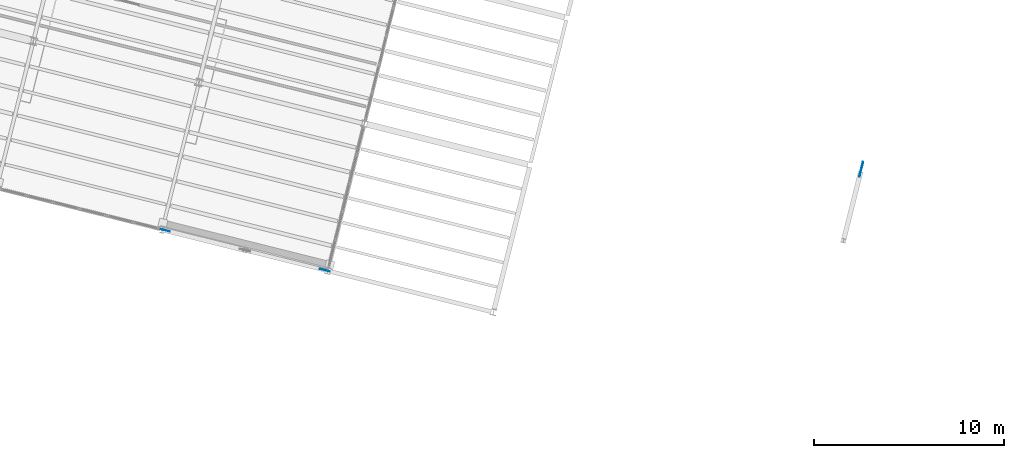
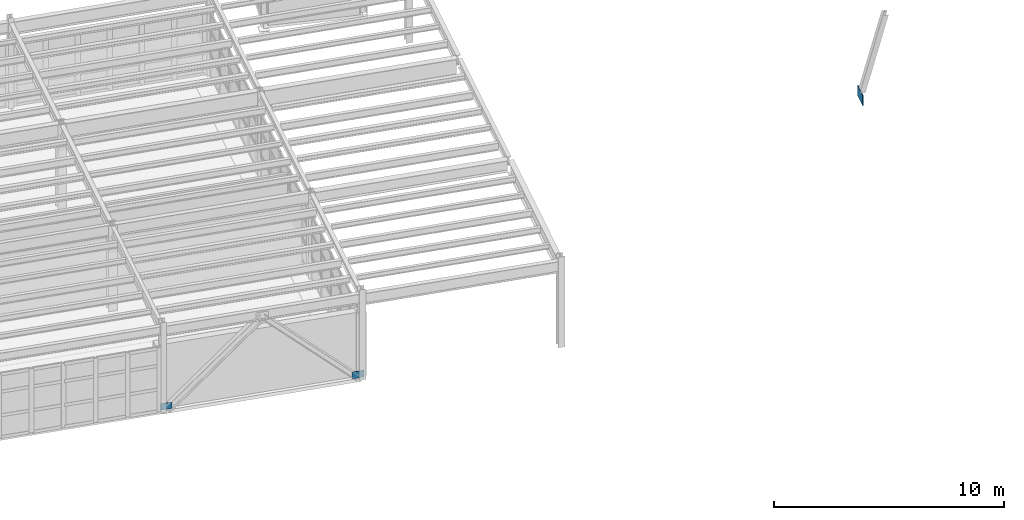
# One storey, part 77 of 102: 3 plates.
"""IFC4 building model written with IfcOpenShell, lengths in metres."""

import ifcopenshell
import ifcopenshell.guid

model = None  # the IFC model being written
_history = None  # IfcOwnerHistory: only IFC2X3 demands one
_inside = {}  # id of a spatial element -> (the spatial element, [elements in it])
_under = {}  # id of a project, library or spatial element -> (it, [spatial elements below it])
_declared = {}  # id of a project -> (the project, [libraries it declares])
_typed = {}  # id of a type object -> (the type object, [elements of that type])
_made_of = {}  # id of a material, layer set ... -> (it, [elements and type objects made of it])


def new_model(schema):
    """Start an empty IFC model of exactly this schema.

    Asked for "IFC4X3", IfcOpenShell would pick the latest addendum, in which some entities
    have other attributes; the version numbers below select the first issue.
    IFC2X3 requires an IfcOwnerHistory on every rooted entity: one is made here for all.
    """
    global model, _history
    if schema == "IFC4X3":
        model = ifcopenshell.file(schema_version=(4, 3, 0, 0))
    else:
        model = ifcopenshell.file(schema=schema)
    _inside.clear()
    _under.clear()
    _declared.clear()
    _typed.clear()
    _made_of.clear()
    _history = None
    if model.schema == "IFC2X3":
        org = make("IfcOrganization", Name="unknown")
        user = make(
            "IfcPersonAndOrganization",
            ThePerson=make("IfcPerson", FamilyName="unknown"),
            TheOrganization=org,
        )
        app = make(
            "IfcApplication",
            ApplicationDeveloper=org,
            Version="unknown",
            ApplicationFullName="unknown",
            ApplicationIdentifier="unknown",
        )
        _history = make(
            "IfcOwnerHistory",
            OwningUser=user,
            OwningApplication=app,
            ChangeAction="ADDED",
            CreationDate=0,
        )
    return model


def make(cls, **values):
    """One entity of the class cls with the attributes given. An attribute that is None is left unset."""
    return model.create_entity(
        cls, **{name: value for name, value in values.items() if value is not None}
    )


def rooted(cls, **values):
    """An entity with a GlobalId (a new one), such as an element, a storey or a relation."""
    return make(cls, GlobalId=ifcopenshell.guid.new(), OwnerHistory=_history, **values)


def si_unit(unit_type, name, prefix=None):
    """IfcSIUnit, for example si_unit("LENGTHUNIT", "METRE", prefix="MILLI")."""
    return make("IfcSIUnit", UnitType=unit_type, Prefix=prefix, Name=name)


def assignment(units):
    """IfcUnitAssignment: the units of a project."""
    return None if units is None else make("IfcUnitAssignment", Units=units)


def point(xyz):
    """IfcCartesianPoint."""
    return None if xyz is None else make("IfcCartesianPoint", Coordinates=xyz)


def direction(xyz):
    """IfcDirection."""
    return None if xyz is None else make("IfcDirection", DirectionRatios=xyz)


def frame(location, z_axis=None, x_axis=None):
    """IfcAxis2Placement3D, a coordinate frame: its origin and axes. An axis left out is left unset."""
    return make(
        "IfcAxis2Placement3D",
        Location=point(location),
        Axis=direction(z_axis),
        RefDirection=direction(x_axis),
    )


def frame_2d(location, x_axis=None):
    """IfcAxis2Placement2D, a coordinate frame in the plane: its origin and x axis."""
    return make(
        "IfcAxis2Placement2D", Location=point(location), RefDirection=direction(x_axis)
    )


def origin():
    """The frame at (0, 0, 0) with its axes left unset."""
    return frame((0.0, 0.0, 0.0))


def origin_2d():
    """The frame at (0, 0) in the plane with its x axis left unset."""
    return frame_2d((0.0, 0.0))


def place(relative_to, where):
    """IfcLocalPlacement: puts the frame where relative to a parent placement (None: the world)."""
    return make(
        "IfcLocalPlacement", PlacementRelTo=relative_to, RelativePlacement=where
    )


def context(
    kind, dimensions, precision=None, world=None, true_north=None, identifier=None
):
    """IfcGeometricRepresentationContext, for example the 3D "Model" context."""
    return make(
        "IfcGeometricRepresentationContext",
        ContextIdentifier=identifier,
        ContextType=kind,
        CoordinateSpaceDimension=dimensions,
        Precision=precision,
        WorldCoordinateSystem=world,
        TrueNorth=true_north,
    )


def subcontext(parent, identifier, kind, view, scale=None):
    """IfcGeometricRepresentationSubContext, for example "Body" below "Model"."""
    return make(
        "IfcGeometricRepresentationSubContext",
        ContextIdentifier=identifier,
        ContextType=kind,
        ParentContext=parent,
        TargetScale=scale,
        TargetView=view,
    )


def project(units=None, contexts=None):
    """IfcProject with its units and contexts."""
    return rooted(
        "IfcProject",
        Name="project",
        RepresentationContexts=contexts,
        UnitsInContext=assignment(units),
    )


def spatial(cls, under=None, at=None, **own):
    """A site, building, storey or space (cls), placed at a placement, below another one or the project."""
    s = rooted(cls, ObjectPlacement=at, **own)
    if under is not None:
        _under.setdefault(under.id(), (under, []))[1].append(s)
    return s


def profile(cls, at=None, kind="AREA", **sizes):
    """A parametric profile (cls). Its sizes go by their IFC names, for example OverallWidth=200.0."""
    return make(cls, ProfileType=kind, Position=at, **sizes)


def rectangle(**sizes):
    """IfcRectangleProfileDef."""
    return profile("IfcRectangleProfileDef", **sizes)


def extrude(swept, where, along, depth):
    """IfcExtrudedAreaSolid: the profile swept, set in the frame where, extruded along a direction by depth."""
    return make(
        "IfcExtrudedAreaSolid",
        SweptArea=swept,
        Position=where,
        ExtrudedDirection=direction(along),
        Depth=depth,
    )


def shape(context_of_items, identifier, shape_type, items):
    """IfcShapeRepresentation: the items that make up one representation, for example the "Body"."""
    return make(
        "IfcShapeRepresentation",
        ContextOfItems=context_of_items,
        RepresentationIdentifier=identifier,
        RepresentationType=shape_type,
        Items=items,
    )


def material(Name=None, Category=None):
    """IfcMaterial."""
    return make("IfcMaterial", Name=Name, Category=Category)


def layer(
    of_material, thickness, ventilated=None, Name=None, Category=None, Priority=None
):
    """IfcMaterialLayer: one layer of a wall or slab, of a material (None: an air gap)."""
    return make(
        "IfcMaterialLayer",
        Material=of_material,
        LayerThickness=thickness,
        IsVentilated=ventilated,
        Name=Name,
        Category=Category,
        Priority=Priority,
    )


def layer_set(layers, Name=None):
    """IfcMaterialLayerSet."""
    return make("IfcMaterialLayerSet", MaterialLayers=layers, LayerSetName=Name)


def made_of(thing, what):
    """Note that an element or type object is made of a material, layer set ...; save() writes the relation."""
    if what is not None:
        _made_of.setdefault(what.id(), (what, []))[1].append(thing)
    return thing


def type_object(cls, material=None, **own):
    """A type object (cls), such as IfcWallType, which elements share."""
    return made_of(rooted(cls, **own), material)


def element(
    cls,
    number,
    at=None,
    inside=None,
    cuts=None,
    type_object=None,
    material=None,
    context=None,
    identifier="Body",
    shape_type=None,
    held_by="IfcProductDefinitionShape",
    body=None,
    shapes=None,
    **own,
):
    """One element of the class cls, such as IfcWall. Its Tag is "e" and its number.

    at: its placement. inside: the storey or other place that contains it. cuts: it is an
    opening in that element (IfcRelVoidsElement). A single representation is given by context,
    identifier, shape_type and body (its items); several are given by shapes. held_by: the class
    of the entity that holds the representations. save() writes the other relations.
    """
    e = rooted(cls, Tag="e%d" % number, ObjectPlacement=at, **own)
    if body is not None:
        shapes = [shape(context, identifier, shape_type, body)]
    if shapes is not None:
        e.Representation = make(held_by, Representations=shapes)
    if inside is not None:
        _inside.setdefault(inside.id(), (inside, []))[1].append(e)
    if cuts is not None:
        rooted(
            "IfcRelVoidsElement", RelatingBuildingElement=cuts, RelatedOpeningElement=e
        )
    if type_object is not None:
        _typed.setdefault(type_object.id(), (type_object, []))[1].append(e)
    return made_of(e, material)


def aggregate(whole, parts):
    """IfcRelAggregates: a whole, such as a stair, and the parts it consists of."""
    return rooted("IfcRelAggregates", RelatingObject=whole, RelatedObjects=parts)


def save(model, path):
    """Write the relations noted so far, then the file.

    IfcRelAggregates (storeys below a building ...), IfcRelContainedInSpatialStructure (elements
    in a storey), IfcRelDefinesByType, IfcRelAssociatesMaterial and IfcRelDeclares: one each for
    every whole, place, type object, material and project.
    """
    for whole, parts in _under.values():
        aggregate(whole, parts)
    for where, things in _inside.values():
        rooted(
            "IfcRelContainedInSpatialStructure",
            RelatedElements=things,
            RelatingStructure=where,
        )
    for kind, things in _typed.values():
        rooted("IfcRelDefinesByType", RelatedObjects=things, RelatingType=kind)
    for what, things in _made_of.values():
        rooted("IfcRelAssociatesMaterial", RelatedObjects=things, RelatingMaterial=what)
    for by, libraries in _declared.values():
        rooted("IfcRelDeclares", RelatingContext=by, RelatedDefinitions=libraries)
    model.write(path)


model = new_model("IFC4")

# Units and contexts
model_context = context("Model", 3, precision=1e-05, world=origin(), true_north=direction((0.0, 1.0)))
body_context = subcontext(model_context, "Body", "Model", "MODEL_VIEW")
ifc_project = project(units=[si_unit("LENGTHUNIT", "METRE"), si_unit("AREAUNIT", "SQUARE_METRE"), si_unit("VOLUMEUNIT", "CUBIC_METRE"), si_unit("PLANEANGLEUNIT", "RADIAN"), si_unit("MASSUNIT", "GRAM", prefix="KILO")], contexts=[model_context])

# Site, building, storey
site_placement = place(None, origin())
site = spatial("IfcSite", under=ifc_project, at=site_placement, CompositionType="ELEMENT")
building_placement = place(site_placement, origin())
building = spatial("IfcBuilding", under=site, at=building_placement, Name="Vireo Bluff Cable Station", CompositionType="ELEMENT")
storey_placement = place(building_placement, frame((0.0, 0.0, 9.60009765625)))
storey = spatial("IfcBuildingStorey", under=building, at=storey_placement, Name="L02", CompositionType="ELEMENT", Elevation=9.60009765625)

# Plates
ifc_material = material(Name="Steel ASTM A572 Gr. 50", Category="steel")
ifc_layer_1 = layer(ifc_material, 0.02001953125, Name="Steel ASTM A572 Gr. 50")
ifc_layer_set_1 = layer_set([ifc_layer_1], Name="Steel ASTM A572 Gr. 50")
plate_type_1 = type_object("IfcPlateType", Name="GUSSET-500X340X20", PredefinedType="USERDEFINED", material=ifc_layer_set_1)
plate_1_placement = place(storey_placement, frame((89.0859375, 29.252197265625, 0.0498046875), z_axis=(0.0, 0.0, 1.0), x_axis=(0.970295726276, -0.2419218956, 0.0)))
element("IfcPlate", 1, at=plate_1_placement, inside=storey, type_object=plate_type_1, Name="V1 L02 brace base gusset plate 42", ObjectType="GUSSET PLATE", PredefinedType="USERDEFINED", context=body_context, shape_type="SweptSolid", body=[
    extrude(rectangle(XDim=0.5, YDim=0.02001953125, at=origin_2d()), origin(), (0.0, 0.0, 1.0), 0.340087890625),
])
ifc_layer_2 = layer(ifc_material, 0.02197265625, Name="Steel ASTM A572 Gr. 50")
ifc_layer_set_2 = layer_set([ifc_layer_2], Name="Steel ASTM A572 Gr. 50")
plate_type_2 = type_object("IfcPlateType", Name="GUSSET-540X360X22", PredefinedType="USERDEFINED", material=ifc_layer_set_2)
plate_2_placement = place(storey_placement, frame((97.508056640625, 27.15234375, 0.0400390625), z_axis=(0.0, 0.0, 1.0), x_axis=(0.970295726276, -0.2419218956, 0.0)))
element("IfcPlate", 2, at=plate_2_placement, inside=storey, type_object=plate_type_2, Name="V1 L02 brace base gusset plate 43", ObjectType="GUSSET PLATE", PredefinedType="USERDEFINED", context=body_context, shape_type="SweptSolid", body=[
    extrude(rectangle(XDim=0.5400390625, YDim=0.02197265625, at=origin_2d()), origin(), (0.0, 0.0, 1.0), 0.360107421875),
])
ifc_layer_3 = layer(ifc_material, 0.034912109375, Name="Steel ASTM A572 Gr. 50")
ifc_layer_set_3 = layer_set([ifc_layer_3], Name="Steel ASTM A572 Gr. 50")
plate_type_3 = type_object("IfcPlateType", Name="GUSSET-800X560X35", PredefinedType="USERDEFINED", material=ifc_layer_set_3)
plate_3_placement = place(storey_placement, frame((125.7939453125, 32.467041015625, 1.619873046875), z_axis=(0.0, 0.0, 1.0), x_axis=(0.970295726276, -0.2419218956, 0.0)))
element("IfcPlate", 3, at=plate_3_placement, inside=storey, type_object=plate_type_3, Name="Launch pylon X-brace crossing node plate", ObjectType="GUSSET PLATE", PredefinedType="USERDEFINED", context=body_context, shape_type="SweptSolid", body=[
    extrude(rectangle(XDim=0.034912109375, YDim=0.800048828125, at=origin_2d()), origin(), (0.0, 0.0, 1.0), 0.56005859375),
])

save(model, "model.ifc")
